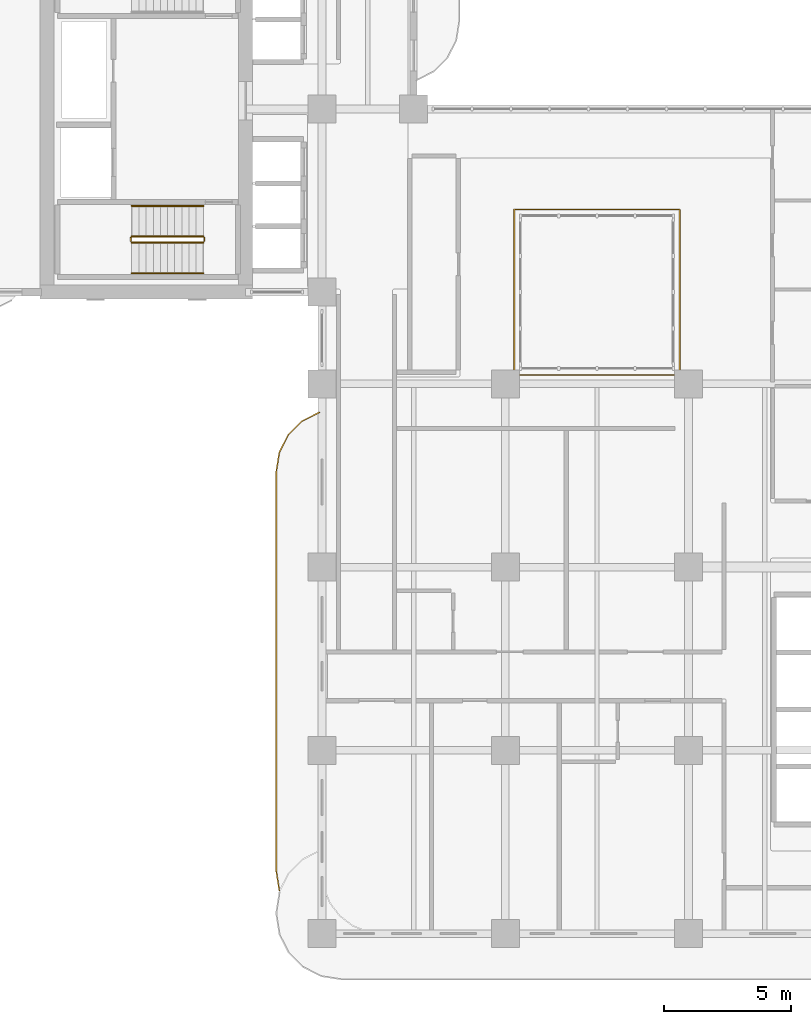
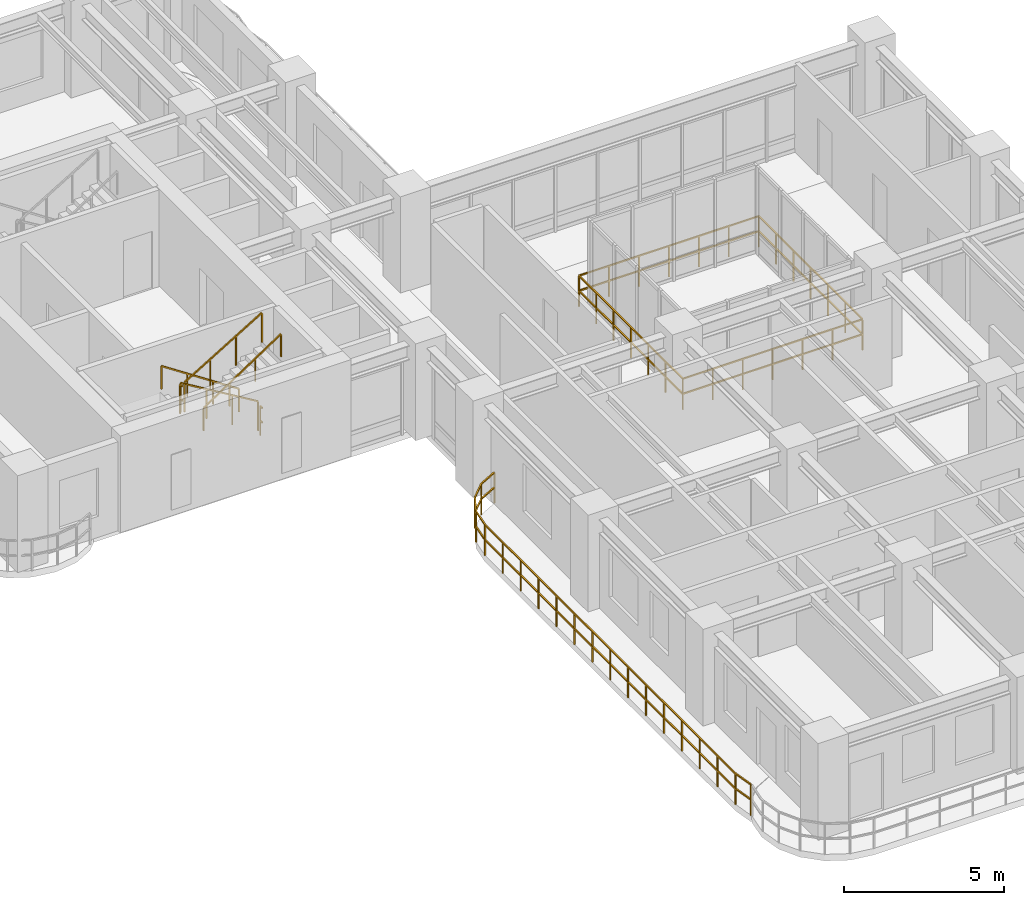
# One storey, part 15 of 19: 8 railings.
"""IFC4 building model written with IfcOpenShell, lengths in metres."""

from ifc_helpers import new_model, si_unit, derived_unit, direction, frame, origin, origin_2d, place, context, subcontext, project, spatial, rectangle, extrude, material, type_object, element, save


model = new_model("IFC4")

# Units and contexts
model_context = context("Model", 3, precision=1e-05, world=origin(), true_north=direction((0.0, 1.0)))
body_context = subcontext(model_context, "Body", "Model", "MODEL_VIEW")
ifc_project = project(units=[si_unit("LENGTHUNIT", "METRE"), si_unit("AREAUNIT", "SQUARE_METRE"), si_unit("VOLUMEUNIT", "CUBIC_METRE"), si_unit("PLANEANGLEUNIT", "RADIAN"), si_unit("MASSUNIT", "GRAM", prefix="KILO"), si_unit("THERMODYNAMICTEMPERATUREUNIT", "KELVIN"), si_unit("POWERUNIT", "WATT"), derived_unit("THERMALTRANSMITTANCEUNIT", [(si_unit("POWERUNIT", "WATT"), 1), (si_unit("AREAUNIT", "SQUARE_METRE"), -1), (si_unit("THERMODYNAMICTEMPERATUREUNIT", "KELVIN"), -1)])], contexts=[model_context])

# Site, building, storey
site_placement = place(None, origin())
site = spatial("IfcSite", under=ifc_project, at=site_placement, CompositionType="ELEMENT")
building_placement = place(site_placement, origin())
building = spatial("IfcBuilding", under=site, at=building_placement, Name="Zahravan Archway Hotel and Residences", CompositionType="ELEMENT")
storey_placement = place(building_placement, frame((0.0, 0.0, 102.699951171875)))
storey = spatial("IfcBuildingStorey", under=building, at=storey_placement, Name="L25", CompositionType="ELEMENT", Elevation=102.699951171875)

# Railings
ifc_material_1 = material(Name="Atrium Laminated Glass Guardrail", Category="glass")
railing_type_1 = type_object("IfcRailingType", Name="RL-ATR-1200", PredefinedType="BALUSTRADE", material=ifc_material_1)
railing_1_placement = place(storey_placement, frame((21.949951171875, 21.949951171875, 0.0)))
element("IfcRailing", 1, at=railing_1_placement, inside=storey, type_object=railing_type_1, Name="L25 Balustrade RL-ATR-L25", PredefinedType="BALUSTRADE", context=body_context, shape_type="SweptSolid", body=[
    extrude(rectangle(XDim=0.048095703125, YDim=0.048095703125, at=origin_2d()), frame((0.0, 0.0, 1.17578125), z_axis=(1.0, 0.0, 0.0), x_axis=(0.0, 1.0, 0.0)), (0.0, 0.0, 1.0), 6.5),
    extrude(rectangle(XDim=0.048095703125, YDim=0.048095703125, at=origin_2d()), frame((0.0, 0.0, 0.60009765625), z_axis=(1.0, 0.0, 0.0), x_axis=(0.0, 1.0, 0.0)), (0.0, 0.0, 1.0), 6.5),
    extrude(rectangle(XDim=0.048095703125, YDim=0.048095703125, at=origin_2d()), frame((6.5, 0.0, 1.17578125), z_axis=(0.0, 1.0, 0.0), x_axis=(-1.0, 0.0, 0.0)), (0.0, 0.0, 1.0), 6.5),
    extrude(rectangle(XDim=0.048095703125, YDim=0.048095703125, at=origin_2d()), frame((6.5, 0.0, 0.60009765625), z_axis=(0.0, 1.0, 0.0), x_axis=(-1.0, 0.0, 0.0)), (0.0, 0.0, 1.0), 6.5),
    extrude(rectangle(XDim=0.048095703125, YDim=0.048095703125, at=origin_2d()), frame((6.5, 6.5, 1.17578125), z_axis=(-1.0, 0.0, 0.0), x_axis=(0.0, -1.0, 0.0)), (0.0, 0.0, 1.0), 6.5),
    extrude(rectangle(XDim=0.048095703125, YDim=0.048095703125, at=origin_2d()), frame((6.5, 6.5, 0.60009765625), z_axis=(-1.0, 0.0, 0.0), x_axis=(0.0, -1.0, 0.0)), (0.0, 0.0, 1.0), 6.5),
    extrude(rectangle(XDim=0.048095703125, YDim=0.048095703125, at=origin_2d()), frame((0.0, 6.5, 1.17578125), z_axis=(0.0, -1.0, 0.0), x_axis=(1.0, 0.0, 0.0)), (0.0, 0.0, 1.0), 6.5),
    extrude(rectangle(XDim=0.048095703125, YDim=0.048095703125, at=origin_2d()), frame((0.0, 6.5, 0.60009765625), z_axis=(0.0, -1.0, 0.0), x_axis=(1.0, 0.0, 0.0)), (0.0, 0.0, 1.0), 6.5),
    extrude(rectangle(XDim=0.0419921875, YDim=0.0419921875, at=origin_2d()), origin(), (0.0, 0.0, 1.0), 1.15185546875),
    extrude(rectangle(XDim=0.0419921875, YDim=0.0419921875, at=origin_2d()), frame((1.083251953125, 0.0, 0.0)), (0.0, 0.0, 1.0), 1.15185546875),
    extrude(rectangle(XDim=0.0419921875, YDim=0.0419921875, at=origin_2d()), frame((2.166748046875, 0.0, 0.0)), (0.0, 0.0, 1.0), 1.15185546875),
    extrude(rectangle(XDim=0.0419921875, YDim=0.0419921875, at=origin_2d()), frame((3.25, 0.0, 0.0)), (0.0, 0.0, 1.0), 1.15185546875),
    extrude(rectangle(XDim=0.0419921875, YDim=0.0419921875, at=origin_2d()), frame((4.333251953125, 0.0, 0.0)), (0.0, 0.0, 1.0), 1.15185546875),
    extrude(rectangle(XDim=0.0419921875, YDim=0.0419921875, at=origin_2d()), frame((5.416748046875, 0.0, 0.0)), (0.0, 0.0, 1.0), 1.15185546875),
    extrude(rectangle(XDim=0.0419921875, YDim=0.0419921875, at=origin_2d()), frame((6.5, 0.0, 0.0)), (0.0, 0.0, 1.0), 1.15185546875),
    extrude(rectangle(XDim=0.0419921875, YDim=0.0419921875, at=origin_2d()), frame((6.5, 1.083251953125, 0.0)), (0.0, 0.0, 1.0), 1.15185546875),
    extrude(rectangle(XDim=0.0419921875, YDim=0.0419921875, at=origin_2d()), frame((6.5, 2.166748046875, 0.0)), (0.0, 0.0, 1.0), 1.15185546875),
    extrude(rectangle(XDim=0.0419921875, YDim=0.0419921875, at=origin_2d()), frame((6.5, 3.25, 0.0)), (0.0, 0.0, 1.0), 1.15185546875),
    extrude(rectangle(XDim=0.0419921875, YDim=0.0419921875, at=origin_2d()), frame((6.5, 4.333251953125, 0.0)), (0.0, 0.0, 1.0), 1.15185546875),
    extrude(rectangle(XDim=0.0419921875, YDim=0.0419921875, at=origin_2d()), frame((6.5, 5.416748046875, 0.0)), (0.0, 0.0, 1.0), 1.15185546875),
    extrude(rectangle(XDim=0.0419921875, YDim=0.0419921875, at=origin_2d()), frame((6.5, 6.5, 0.0)), (0.0, 0.0, 1.0), 1.15185546875),
    extrude(rectangle(XDim=0.0419921875, YDim=0.0419921875, at=origin_2d()), frame((5.416748046875, 6.5, 0.0)), (0.0, 0.0, 1.0), 1.15185546875),
    extrude(rectangle(XDim=0.0419921875, YDim=0.0419921875, at=origin_2d()), frame((4.333251953125, 6.5, 0.0)), (0.0, 0.0, 1.0), 1.15185546875),
    extrude(rectangle(XDim=0.0419921875, YDim=0.0419921875, at=origin_2d()), frame((3.25, 6.5, 0.0)), (0.0, 0.0, 1.0), 1.15185546875),
    extrude(rectangle(XDim=0.0419921875, YDim=0.0419921875, at=origin_2d()), frame((2.166748046875, 6.5, 0.0)), (0.0, 0.0, 1.0), 1.15185546875),
    extrude(rectangle(XDim=0.0419921875, YDim=0.0419921875, at=origin_2d()), frame((1.083251953125, 6.5, 0.0)), (0.0, 0.0, 1.0), 1.15185546875),
    extrude(rectangle(XDim=0.0419921875, YDim=0.0419921875, at=origin_2d()), frame((0.0, 6.5, 0.0)), (0.0, 0.0, 1.0), 1.15185546875),
    extrude(rectangle(XDim=0.0419921875, YDim=0.0419921875, at=origin_2d()), frame((0.0, 5.416748046875, 0.0)), (0.0, 0.0, 1.0), 1.15185546875),
    extrude(rectangle(XDim=0.0419921875, YDim=0.0419921875, at=origin_2d()), frame((0.0, 4.333251953125, 0.0)), (0.0, 0.0, 1.0), 1.15185546875),
    extrude(rectangle(XDim=0.0419921875, YDim=0.0419921875, at=origin_2d()), frame((0.0, 3.25, 0.0)), (0.0, 0.0, 1.0), 1.15185546875),
    extrude(rectangle(XDim=0.0419921875, YDim=0.0419921875, at=origin_2d()), frame((0.0, 2.166748046875, 0.0)), (0.0, 0.0, 1.0), 1.15185546875),
    extrude(rectangle(XDim=0.0419921875, YDim=0.0419921875, at=origin_2d()), frame((0.0, 1.083251953125, 0.0)), (0.0, 0.0, 1.0), 1.15185546875),
])
ifc_material_2 = material(Name="Bronze & Laminated Glass Balustrade", Category="glass")
railing_type_2 = type_object("IfcRailingType", Name="RL-BAL-1200", PredefinedType="BALUSTRADE", material=ifc_material_2)
railing_2_placement = place(storey_placement, frame((12.719970703125, 1.69287109375, 0.0)))
element("IfcRailing", 2, at=railing_2_placement, inside=storey, type_object=railing_type_2, Name="L25 Balustrade RL-SLB-BAL-L25-WA-1", PredefinedType="BALUSTRADE", context=body_context, shape_type="SweptSolid", body=[
    extrude(rectangle(XDim=0.048095703125, YDim=0.048095703125, at=origin_2d()), frame((0.0, 0.0, 1.17578125), z_axis=(-0.156387811283, 0.987695728695, 0.0), x_axis=(-0.987695728695, -0.156387811283, 0.0)), (0.0, 0.0, 1.0), 0.7666015625),
    extrude(rectangle(XDim=0.048095703125, YDim=0.048095703125, at=origin_2d()), frame((0.0, 0.0, 0.60009765625), z_axis=(-0.156387811283, 0.987695728695, 0.0), x_axis=(-0.987695728695, -0.156387811283, 0.0)), (0.0, 0.0, 1.0), 0.7666015625),
    extrude(rectangle(XDim=0.048095703125, YDim=0.048095703125, at=origin_2d()), frame((-0.119873046875, 0.757080078125, 1.17578125), z_axis=(0.0, 1.0, 0.0), x_axis=(-1.0, 0.0, 0.0)), (0.0, 0.0, 1.0), 15.699951171875),
    extrude(rectangle(XDim=0.048095703125, YDim=0.048095703125, at=origin_2d()), frame((-0.119873046875, 0.757080078125, 0.60009765625), z_axis=(0.0, 1.0, 0.0), x_axis=(-1.0, 0.0, 0.0)), (0.0, 0.0, 1.0), 15.699951171875),
    extrude(rectangle(XDim=0.048095703125, YDim=0.048095703125, at=origin_2d()), frame((-0.119873046875, 16.45703125, 1.17578125), z_axis=(0.156387811283, 0.987695728695, 0.0), x_axis=(-0.987695728695, 0.156387811283, 0.0)), (0.0, 0.0, 1.0), 0.7666015625),
    extrude(rectangle(XDim=0.048095703125, YDim=0.048095703125, at=origin_2d()), frame((-0.119873046875, 16.45703125, 0.60009765625), z_axis=(0.156387811283, 0.987695728695, 0.0), x_axis=(-0.987695728695, 0.156387811283, 0.0)), (0.0, 0.0, 1.0), 0.7666015625),
    extrude(rectangle(XDim=0.048095703125, YDim=0.048095703125, at=origin_2d()), frame((0.0, 17.214111328125, 1.17578125), z_axis=(0.453825591531, 0.891090529897, 0.0), x_axis=(-0.891090529897, 0.453825591531, 0.0)), (0.0, 0.0, 1.0), 0.7666015625),
    extrude(rectangle(XDim=0.048095703125, YDim=0.048095703125, at=origin_2d()), frame((0.0, 17.214111328125, 0.60009765625), z_axis=(0.453825591531, 0.891090529897, 0.0), x_axis=(-0.891090529897, 0.453825591531, 0.0)), (0.0, 0.0, 1.0), 0.7666015625),
    extrude(rectangle(XDim=0.048095703125, YDim=0.048095703125, at=origin_2d()), frame((0.347900390625, 17.897216796875, 1.17578125), z_axis=(0.707106781187, 0.707106781187, 0.0), x_axis=(-0.707106781187, 0.707106781187, 0.0)), (0.0, 0.0, 1.0), 0.7666015625),
    extrude(rectangle(XDim=0.048095703125, YDim=0.048095703125, at=origin_2d()), frame((0.347900390625, 17.897216796875, 0.60009765625), z_axis=(0.707106781187, 0.707106781187, 0.0), x_axis=(-0.707106781187, 0.707106781187, 0.0)), (0.0, 0.0, 1.0), 0.7666015625),
    extrude(rectangle(XDim=0.048095703125, YDim=0.048095703125, at=origin_2d()), frame((0.889892578125, 18.439208984375, 1.17578125), z_axis=(0.891090529897, 0.453825591531, 0.0), x_axis=(-0.453825591531, 0.891090529897, 0.0)), (0.0, 0.0, 1.0), 0.7666015625),
    extrude(rectangle(XDim=0.048095703125, YDim=0.048095703125, at=origin_2d()), frame((0.889892578125, 18.439208984375, 0.60009765625), z_axis=(0.891090529897, 0.453825591531, 0.0), x_axis=(-0.453825591531, 0.891090529897, 0.0)), (0.0, 0.0, 1.0), 0.7666015625),
    extrude(rectangle(XDim=0.0419921875, YDim=0.0419921875, at=origin_2d()), origin(), (0.0, 0.0, 1.0), 1.15185546875),
    extrude(rectangle(XDim=0.0419921875, YDim=0.0419921875, at=origin_2d()), frame((-0.119873046875, 0.757080078125, 0.0)), (0.0, 0.0, 1.0), 1.15185546875),
    extrude(rectangle(XDim=0.0419921875, YDim=0.0419921875, at=origin_2d()), frame((-0.119873046875, 1.87841796875, 0.0)), (0.0, 0.0, 1.0), 1.15185546875),
    extrude(rectangle(XDim=0.0419921875, YDim=0.0419921875, at=origin_2d()), frame((-0.119873046875, 3.0, 0.0)), (0.0, 0.0, 1.0), 1.15185546875),
    extrude(rectangle(XDim=0.0419921875, YDim=0.0419921875, at=origin_2d()), frame((-0.119873046875, 4.121337890625, 0.0)), (0.0, 0.0, 1.0), 1.15185546875),
    extrude(rectangle(XDim=0.0419921875, YDim=0.0419921875, at=origin_2d()), frame((-0.119873046875, 5.24267578125, 0.0)), (0.0, 0.0, 1.0), 1.15185546875),
    extrude(rectangle(XDim=0.0419921875, YDim=0.0419921875, at=origin_2d()), frame((-0.119873046875, 6.3642578125, 0.0)), (0.0, 0.0, 1.0), 1.15185546875),
    extrude(rectangle(XDim=0.0419921875, YDim=0.0419921875, at=origin_2d()), frame((-0.119873046875, 7.485595703125, 0.0)), (0.0, 0.0, 1.0), 1.15185546875),
    extrude(rectangle(XDim=0.0419921875, YDim=0.0419921875, at=origin_2d()), frame((-0.119873046875, 8.60693359375, 0.0)), (0.0, 0.0, 1.0), 1.15185546875),
    extrude(rectangle(XDim=0.0419921875, YDim=0.0419921875, at=origin_2d()), frame((-0.119873046875, 9.728515625, 0.0)), (0.0, 0.0, 1.0), 1.15185546875),
    extrude(rectangle(XDim=0.0419921875, YDim=0.0419921875, at=origin_2d()), frame((-0.119873046875, 10.849853515625, 0.0)), (0.0, 0.0, 1.0), 1.15185546875),
    extrude(rectangle(XDim=0.0419921875, YDim=0.0419921875, at=origin_2d()), frame((-0.119873046875, 11.971435546875, 0.0)), (0.0, 0.0, 1.0), 1.15185546875),
    extrude(rectangle(XDim=0.0419921875, YDim=0.0419921875, at=origin_2d()), frame((-0.119873046875, 13.0927734375, 0.0)), (0.0, 0.0, 1.0), 1.15185546875),
    extrude(rectangle(XDim=0.0419921875, YDim=0.0419921875, at=origin_2d()), frame((-0.119873046875, 14.214111328125, 0.0)), (0.0, 0.0, 1.0), 1.15185546875),
    extrude(rectangle(XDim=0.0419921875, YDim=0.0419921875, at=origin_2d()), frame((-0.119873046875, 15.335693359375, 0.0)), (0.0, 0.0, 1.0), 1.15185546875),
    extrude(rectangle(XDim=0.0419921875, YDim=0.0419921875, at=origin_2d()), frame((-0.119873046875, 16.45703125, 0.0)), (0.0, 0.0, 1.0), 1.15185546875),
    extrude(rectangle(XDim=0.0419921875, YDim=0.0419921875, at=origin_2d()), frame((0.0, 17.214111328125, 0.0)), (0.0, 0.0, 1.0), 1.15185546875),
    extrude(rectangle(XDim=0.0419921875, YDim=0.0419921875, at=origin_2d()), frame((0.347900390625, 17.897216796875, 0.0)), (0.0, 0.0, 1.0), 1.15185546875),
    extrude(rectangle(XDim=0.0419921875, YDim=0.0419921875, at=origin_2d()), frame((0.889892578125, 18.439208984375, 0.0)), (0.0, 0.0, 1.0), 1.15185546875),
    extrude(rectangle(XDim=0.0419921875, YDim=0.0419921875, at=origin_2d()), frame((1.572998046875, 18.787109375, 0.0)), (0.0, 0.0, 1.0), 1.15185546875),
])
ifc_material_3 = material(Name="Painted Tubular Steel", Category="steel")
railing_type_3 = type_object("IfcRailingType", Name="RL-STG-1150", PredefinedType="GUARDRAIL", material=ifc_material_3)
railing_3_placement = place(storey_placement, frame((9.72998046875, 27.389892578125, 0.168212890625)))
element("IfcRailing", 3, at=railing_3_placement, inside=storey, type_object=railing_type_3, Name="L25 ST-B1 stair guard 1", PredefinedType="GUARDRAIL", context=body_context, shape_type="SweptSolid", body=[
    extrude(rectangle(XDim=0.048095703125, YDim=0.048095703125, at=origin_2d()), frame((0.0, 0.0, 1.1259765625), z_axis=(-0.857242210791, 0.0, 0.514913383045), x_axis=(0.0, -1.0, 0.0)), (0.0, 0.0, 1.0), 3.266357421875),
    extrude(rectangle(XDim=0.0419921875, YDim=0.0419921875, at=origin_2d()), origin(), (0.0, 0.0, 1.0), 1.101806640625),
    extrude(rectangle(XDim=0.0419921875, YDim=0.0419921875, at=origin_2d()), frame((-0.933349609375, 0.0, 0.560546875)), (0.0, 0.0, 1.0), 1.101806640625),
    extrude(rectangle(XDim=0.0419921875, YDim=0.0419921875, at=origin_2d()), frame((-1.86669921875, 0.0, 1.121337890625)), (0.0, 0.0, 1.0), 1.101806640625),
    extrude(rectangle(XDim=0.0419921875, YDim=0.0419921875, at=origin_2d()), frame((-2.800048828125, 0.0, 1.681884765625)), (0.0, 0.0, 1.0), 1.101806640625),
])
railing_4_placement = place(storey_placement, frame((6.8798828125, 27.340087890625, 1.85009765625)))
element("IfcRailing", 4, at=railing_4_placement, inside=storey, type_object=railing_type_3, Name="L25 ST-B1 stair guard 2", PredefinedType="GUARDRAIL", context=body_context, shape_type="SweptSolid", body=[
    extrude(rectangle(XDim=0.048095703125, YDim=0.048095703125, at=origin_2d()), frame((0.0, 0.0, 1.1259765625), z_axis=(0.0, -1.0, 0.0), x_axis=(1.0, 0.0, 0.0)), (0.0, 0.0, 1.0), 0.14013671875),
    extrude(rectangle(XDim=0.048095703125, YDim=0.048095703125, at=origin_2d()), frame((0.0, 0.0, 0.574951171875), z_axis=(0.0, -1.0, 0.0), x_axis=(1.0, 0.0, 0.0)), (0.0, 0.0, 1.0), 0.14013671875),
    extrude(rectangle(XDim=0.0419921875, YDim=0.0419921875, at=origin_2d()), origin(), (0.0, 0.0, 1.0), 1.101806640625),
])
railing_5_placement = place(storey_placement, frame((6.929931640625, 27.14990234375, 2.018310546875)))
element("IfcRailing", 5, at=railing_5_placement, inside=storey, type_object=railing_type_3, Name="L25 ST-B1 stair guard 3", PredefinedType="GUARDRAIL", context=body_context, shape_type="SweptSolid", body=[
    extrude(rectangle(XDim=0.048095703125, YDim=0.048095703125, at=origin_2d()), frame((0.0, 0.0, 1.1259765625), z_axis=(0.857275202839, 0.0, 0.514858452973), x_axis=(0.0, 1.0, 0.0)), (0.0, 0.0, 1.0), 3.26611328125),
    extrude(rectangle(XDim=0.0419921875, YDim=0.0419921875, at=origin_2d()), origin(), (0.0, 0.0, 1.0), 1.101806640625),
    extrude(rectangle(XDim=0.0419921875, YDim=0.0419921875, at=origin_2d()), frame((0.933349609375, 0.0, 0.560546875)), (0.0, 0.0, 1.0), 1.101806640625),
    extrude(rectangle(XDim=0.0419921875, YDim=0.0419921875, at=origin_2d()), frame((1.86669921875, 0.0, 1.12109375)), (0.0, 0.0, 1.0), 1.101806640625),
    extrude(rectangle(XDim=0.0419921875, YDim=0.0419921875, at=origin_2d()), frame((2.800048828125, 0.0, 1.681640625)), (0.0, 0.0, 1.0), 1.101806640625),
])
railing_6_placement = place(storey_placement, frame((9.780029296875, 27.340087890625, 0.0)))
element("IfcRailing", 6, at=railing_6_placement, inside=storey, type_object=railing_type_3, Name="L25 ST-B1 stair guard 4", PredefinedType="GUARDRAIL", context=body_context, shape_type="SweptSolid", body=[
    extrude(rectangle(XDim=0.048095703125, YDim=0.048095703125, at=origin_2d()), frame((0.0, 0.0, 1.1259765625), z_axis=(0.0, -1.0, 0.0), x_axis=(1.0, 0.0, 0.0)), (0.0, 0.0, 1.0), 0.14013671875),
    extrude(rectangle(XDim=0.048095703125, YDim=0.048095703125, at=origin_2d()), frame((0.0, 0.0, 0.574951171875), z_axis=(0.0, -1.0, 0.0), x_axis=(1.0, 0.0, 0.0)), (0.0, 0.0, 1.0), 0.14013671875),
    extrude(rectangle(XDim=0.0419921875, YDim=0.0419921875, at=origin_2d()), origin(), (0.0, 0.0, 1.0), 1.101806640625),
])
ifc_material_4 = material(Name="Brushed Stainless Steel", Category="steel")
railing_type_4 = type_object("IfcRailingType", Name="RL-STH-900", PredefinedType="HANDRAIL", material=ifc_material_4)
railing_7_placement = place(storey_placement, frame((9.72998046875, 28.590087890625, 0.168212890625)))
element("IfcRailing", 7, at=railing_7_placement, inside=storey, type_object=railing_type_4, Name="L25 ST-B1 stair handrail 1", PredefinedType="HANDRAIL", context=body_context, shape_type="SweptSolid", body=[
    extrude(rectangle(XDim=0.048095703125, YDim=0.048095703125, at=origin_2d()), frame((0.0, 0.0, 0.8759765625), z_axis=(-0.834326358476, 0.0, 0.551270829586), x_axis=(0.0, -1.0, 0.0)), (0.0, 0.0, 1.0), 3.35595703125),
    extrude(rectangle(XDim=0.0419921875, YDim=0.0419921875, at=origin_2d()), origin(), (0.0, 0.0, 1.0), 0.851806640625),
    extrude(rectangle(XDim=0.0419921875, YDim=0.0419921875, at=origin_2d()), frame((-0.933349609375, 0.0, 0.61669921875)), (0.0, 0.0, 1.0), 0.851806640625),
    extrude(rectangle(XDim=0.0419921875, YDim=0.0419921875, at=origin_2d()), frame((-1.86669921875, 0.0, 1.2333984375)), (0.0, 0.0, 1.0), 0.851806640625),
    extrude(rectangle(XDim=0.0419921875, YDim=0.0419921875, at=origin_2d()), frame((-2.800048828125, 0.0, 1.85009765625)), (0.0, 0.0, 1.0), 0.851806640625),
])
railing_8_placement = place(storey_placement, frame((6.929931640625, 25.949951171875, 2.018310546875)))
element("IfcRailing", 8, at=railing_8_placement, inside=storey, type_object=railing_type_4, Name="L25 ST-B1 stair handrail 2", PredefinedType="HANDRAIL", context=body_context, shape_type="SweptSolid", body=[
    extrude(rectangle(XDim=0.048095703125, YDim=0.048095703125, at=origin_2d()), frame((0.0, 0.0, 0.8759765625), z_axis=(0.83435981716, 0.0, 0.551220187865), x_axis=(0.0, 1.0, 0.0)), (0.0, 0.0, 1.0), 3.35595703125),
    extrude(rectangle(XDim=0.0419921875, YDim=0.0419921875, at=origin_2d()), origin(), (0.0, 0.0, 1.0), 0.851806640625),
    extrude(rectangle(XDim=0.0419921875, YDim=0.0419921875, at=origin_2d()), frame((0.933349609375, 0.0, 0.61669921875)), (0.0, 0.0, 1.0), 0.851806640625),
    extrude(rectangle(XDim=0.0419921875, YDim=0.0419921875, at=origin_2d()), frame((1.86669921875, 0.0, 1.233154296875)), (0.0, 0.0, 1.0), 0.851806640625),
    extrude(rectangle(XDim=0.0419921875, YDim=0.0419921875, at=origin_2d()), frame((2.800048828125, 0.0, 1.849853515625)), (0.0, 0.0, 1.0), 0.851806640625),
])

save(model, "model.ifc")
